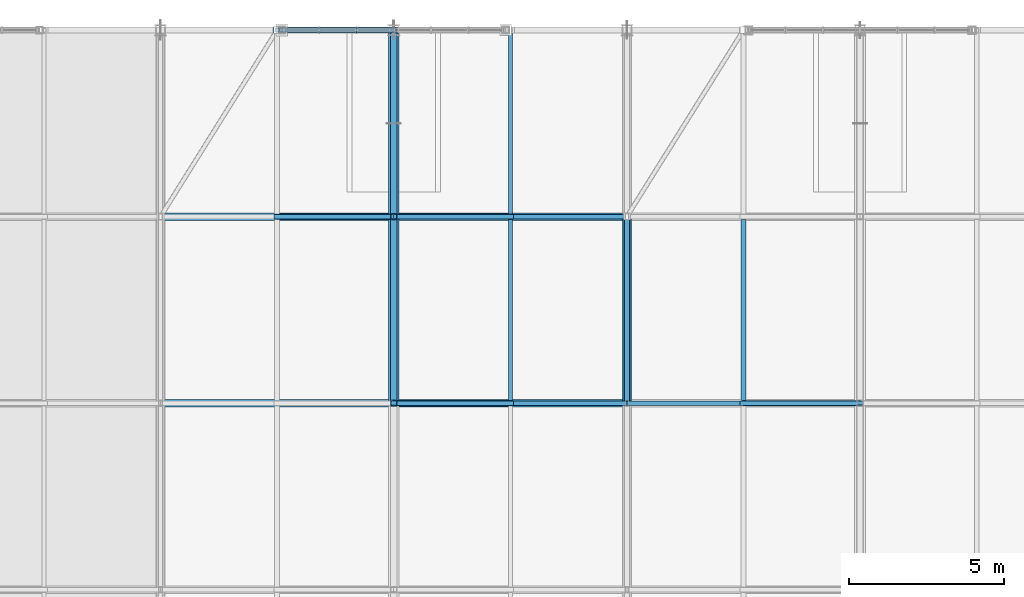
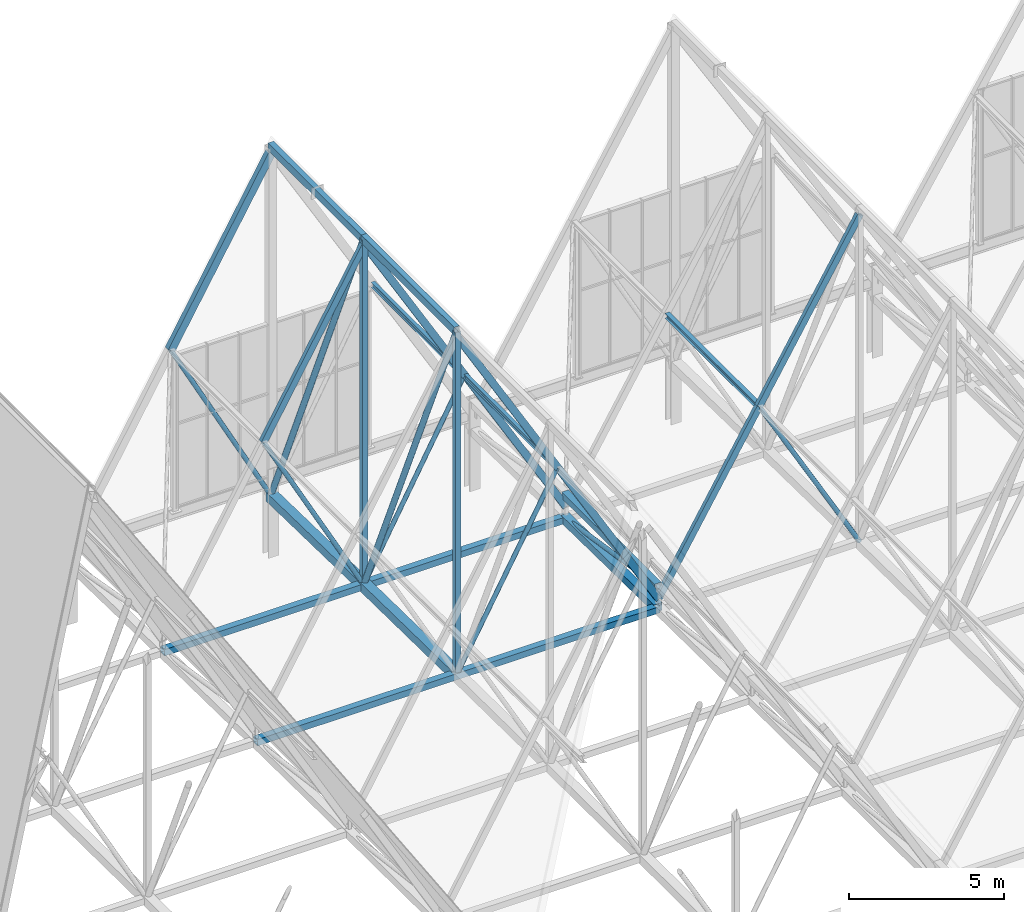
# One storey, part 163 of 324: 26 members, 3 beams.
"""IFC4 building model written with IfcOpenShell, lengths in metres."""

import ifcopenshell
import ifcopenshell.guid

model = None  # the IFC model being written
_history = None  # IfcOwnerHistory: only IFC2X3 demands one
_inside = {}  # id of a spatial element -> (the spatial element, [elements in it])
_under = {}  # id of a project, library or spatial element -> (it, [spatial elements below it])
_declared = {}  # id of a project -> (the project, [libraries it declares])
_typed = {}  # id of a type object -> (the type object, [elements of that type])
_made_of = {}  # id of a material, layer set ... -> (it, [elements and type objects made of it])


def new_model(schema):
    """Start an empty IFC model of exactly this schema.

    Asked for "IFC4X3", IfcOpenShell would pick the latest addendum, in which some entities
    have other attributes; the version numbers below select the first issue.
    IFC2X3 requires an IfcOwnerHistory on every rooted entity: one is made here for all.
    """
    global model, _history
    if schema == "IFC4X3":
        model = ifcopenshell.file(schema_version=(4, 3, 0, 0))
    else:
        model = ifcopenshell.file(schema=schema)
    _inside.clear()
    _under.clear()
    _declared.clear()
    _typed.clear()
    _made_of.clear()
    _history = None
    if model.schema == "IFC2X3":
        org = make("IfcOrganization", Name="unknown")
        user = make(
            "IfcPersonAndOrganization",
            ThePerson=make("IfcPerson", FamilyName="unknown"),
            TheOrganization=org,
        )
        app = make(
            "IfcApplication",
            ApplicationDeveloper=org,
            Version="unknown",
            ApplicationFullName="unknown",
            ApplicationIdentifier="unknown",
        )
        _history = make(
            "IfcOwnerHistory",
            OwningUser=user,
            OwningApplication=app,
            ChangeAction="ADDED",
            CreationDate=0,
        )
    return model


def make(cls, **values):
    """One entity of the class cls with the attributes given. An attribute that is None is left unset."""
    return model.create_entity(
        cls, **{name: value for name, value in values.items() if value is not None}
    )


def rooted(cls, **values):
    """An entity with a GlobalId (a new one), such as an element, a storey or a relation."""
    return make(cls, GlobalId=ifcopenshell.guid.new(), OwnerHistory=_history, **values)


def si_unit(unit_type, name, prefix=None):
    """IfcSIUnit, for example si_unit("LENGTHUNIT", "METRE", prefix="MILLI")."""
    return make("IfcSIUnit", UnitType=unit_type, Prefix=prefix, Name=name)


def assignment(units):
    """IfcUnitAssignment: the units of a project."""
    return None if units is None else make("IfcUnitAssignment", Units=units)


def point(xyz):
    """IfcCartesianPoint."""
    return None if xyz is None else make("IfcCartesianPoint", Coordinates=xyz)


def direction(xyz):
    """IfcDirection."""
    return None if xyz is None else make("IfcDirection", DirectionRatios=xyz)


def frame(location, z_axis=None, x_axis=None):
    """IfcAxis2Placement3D, a coordinate frame: its origin and axes. An axis left out is left unset."""
    return make(
        "IfcAxis2Placement3D",
        Location=point(location),
        Axis=direction(z_axis),
        RefDirection=direction(x_axis),
    )


def frame_2d(location, x_axis=None):
    """IfcAxis2Placement2D, a coordinate frame in the plane: its origin and x axis."""
    return make(
        "IfcAxis2Placement2D", Location=point(location), RefDirection=direction(x_axis)
    )


def origin():
    """The frame at (0, 0, 0) with its axes left unset."""
    return frame((0.0, 0.0, 0.0))


def origin_2d():
    """The frame at (0, 0) in the plane with its x axis left unset."""
    return frame_2d((0.0, 0.0))


def place(relative_to, where):
    """IfcLocalPlacement: puts the frame where relative to a parent placement (None: the world)."""
    return make(
        "IfcLocalPlacement", PlacementRelTo=relative_to, RelativePlacement=where
    )


def context(
    kind, dimensions, precision=None, world=None, true_north=None, identifier=None
):
    """IfcGeometricRepresentationContext, for example the 3D "Model" context."""
    return make(
        "IfcGeometricRepresentationContext",
        ContextIdentifier=identifier,
        ContextType=kind,
        CoordinateSpaceDimension=dimensions,
        Precision=precision,
        WorldCoordinateSystem=world,
        TrueNorth=true_north,
    )


def subcontext(parent, identifier, kind, view, scale=None):
    """IfcGeometricRepresentationSubContext, for example "Body" below "Model"."""
    return make(
        "IfcGeometricRepresentationSubContext",
        ContextIdentifier=identifier,
        ContextType=kind,
        ParentContext=parent,
        TargetScale=scale,
        TargetView=view,
    )


def project(units=None, contexts=None):
    """IfcProject with its units and contexts."""
    return rooted(
        "IfcProject",
        Name="project",
        RepresentationContexts=contexts,
        UnitsInContext=assignment(units),
    )


def spatial(cls, under=None, at=None, **own):
    """A site, building, storey or space (cls), placed at a placement, below another one or the project."""
    s = rooted(cls, ObjectPlacement=at, **own)
    if under is not None:
        _under.setdefault(under.id(), (under, []))[1].append(s)
    return s


def profile(cls, at=None, kind="AREA", **sizes):
    """A parametric profile (cls). Its sizes go by their IFC names, for example OverallWidth=200.0."""
    return make(cls, ProfileType=kind, Position=at, **sizes)


def hollow_rectangle(**sizes):
    """IfcRectangleHollowProfileDef."""
    return profile("IfcRectangleHollowProfileDef", **sizes)


def hollow_circle(**sizes):
    """IfcCircleHollowProfileDef."""
    return profile("IfcCircleHollowProfileDef", **sizes)


def i_section(**sizes):
    """IfcIShapeProfileDef."""
    return profile("IfcIShapeProfileDef", **sizes)


def extrude(swept, where, along, depth):
    """IfcExtrudedAreaSolid: the profile swept, set in the frame where, extruded along a direction by depth."""
    return make(
        "IfcExtrudedAreaSolid",
        SweptArea=swept,
        Position=where,
        ExtrudedDirection=direction(along),
        Depth=depth,
    )


def shape(context_of_items, identifier, shape_type, items):
    """IfcShapeRepresentation: the items that make up one representation, for example the "Body"."""
    return make(
        "IfcShapeRepresentation",
        ContextOfItems=context_of_items,
        RepresentationIdentifier=identifier,
        RepresentationType=shape_type,
        Items=items,
    )


def material(Name=None, Category=None):
    """IfcMaterial."""
    return make("IfcMaterial", Name=Name, Category=Category)


def material_profile(
    of_material, cross_section, Name=None, Category=None, Priority=None
):
    """IfcMaterialProfile: a cross section and its material."""
    return make(
        "IfcMaterialProfile",
        Name=Name,
        Material=of_material,
        Profile=cross_section,
        Priority=Priority,
        Category=Category,
    )


def profile_set(profiles, Name=None, composite=None):
    """IfcMaterialProfileSet."""
    return make(
        "IfcMaterialProfileSet",
        Name=Name,
        MaterialProfiles=profiles,
        CompositeProfile=composite,
    )


def made_of(thing, what):
    """Note that an element or type object is made of a material, layer set ...; save() writes the relation."""
    if what is not None:
        _made_of.setdefault(what.id(), (what, []))[1].append(thing)
    return thing


def type_object(cls, material=None, **own):
    """A type object (cls), such as IfcWallType, which elements share."""
    return made_of(rooted(cls, **own), material)


def element(
    cls,
    number,
    at=None,
    inside=None,
    cuts=None,
    type_object=None,
    material=None,
    context=None,
    identifier="Body",
    shape_type=None,
    held_by="IfcProductDefinitionShape",
    body=None,
    shapes=None,
    **own,
):
    """One element of the class cls, such as IfcWall. Its Tag is "e" and its number.

    at: its placement. inside: the storey or other place that contains it. cuts: it is an
    opening in that element (IfcRelVoidsElement). A single representation is given by context,
    identifier, shape_type and body (its items); several are given by shapes. held_by: the class
    of the entity that holds the representations. save() writes the other relations.
    """
    e = rooted(cls, Tag="e%d" % number, ObjectPlacement=at, **own)
    if body is not None:
        shapes = [shape(context, identifier, shape_type, body)]
    if shapes is not None:
        e.Representation = make(held_by, Representations=shapes)
    if inside is not None:
        _inside.setdefault(inside.id(), (inside, []))[1].append(e)
    if cuts is not None:
        rooted(
            "IfcRelVoidsElement", RelatingBuildingElement=cuts, RelatedOpeningElement=e
        )
    if type_object is not None:
        _typed.setdefault(type_object.id(), (type_object, []))[1].append(e)
    return made_of(e, material)


def aggregate(whole, parts):
    """IfcRelAggregates: a whole, such as a stair, and the parts it consists of."""
    return rooted("IfcRelAggregates", RelatingObject=whole, RelatedObjects=parts)


def save(model, path):
    """Write the relations noted so far, then the file.

    IfcRelAggregates (storeys below a building ...), IfcRelContainedInSpatialStructure (elements
    in a storey), IfcRelDefinesByType, IfcRelAssociatesMaterial and IfcRelDeclares: one each for
    every whole, place, type object, material and project.
    """
    for whole, parts in _under.values():
        aggregate(whole, parts)
    for where, things in _inside.values():
        rooted(
            "IfcRelContainedInSpatialStructure",
            RelatedElements=things,
            RelatingStructure=where,
        )
    for kind, things in _typed.values():
        rooted("IfcRelDefinesByType", RelatedObjects=things, RelatingType=kind)
    for what, things in _made_of.values():
        rooted("IfcRelAssociatesMaterial", RelatedObjects=things, RelatingMaterial=what)
    for by, libraries in _declared.values():
        rooted("IfcRelDeclares", RelatingContext=by, RelatedDefinitions=libraries)
    model.write(path)


model = new_model("IFC4")

# Units and contexts
model_context = context("Model", 3, precision=1e-05, world=origin(), true_north=direction((0.0, 1.0)))
body_context = subcontext(model_context, "Body", "Model", "MODEL_VIEW")
ifc_project = project(units=[si_unit("LENGTHUNIT", "METRE"), si_unit("AREAUNIT", "SQUARE_METRE"), si_unit("VOLUMEUNIT", "CUBIC_METRE"), si_unit("PLANEANGLEUNIT", "RADIAN"), si_unit("MASSUNIT", "GRAM", prefix="KILO")], contexts=[model_context])

# Site, building, storey
site_placement = place(None, origin())
site = spatial("IfcSite", under=ifc_project, at=site_placement, CompositionType="ELEMENT")
building_placement = place(site_placement, origin())
building = spatial("IfcBuilding", under=site, at=building_placement, Name="Solvenia Promenade Tram Depot", CompositionType="ELEMENT")
storey_placement = place(building_placement, frame((0.0, 0.0, 4.5)))
storey = spatial("IfcBuildingStorey", under=building, at=storey_placement, Name="L01", CompositionType="ELEMENT", Elevation=4.5)

# Members
ifc_material_1 = material(Name="Structural steel ASTM A500 Gr. C", Category="steel")
ifc_material_profile_1 = material_profile(ifc_material_1, hollow_circle(Radius=0.109619140625, WallThickness=0.008056640625, at=origin_2d()), Name="CHS219.1x8", Category="steel")
ifc_profile_set_1 = profile_set([ifc_material_profile_1], Name="Structural steel ASTM A500 Gr. C")
member_type_1 = type_object("IfcMemberType", Name="Brace-CHS219x8", PredefinedType="BRACE", material=ifc_profile_set_1)
member_1_placement = place(storey_placement, frame((97.5, 120.0, 2.446044921875), z_axis=(0.0, -0.402603008516, 0.915374686964), x_axis=(1.0, 0.0, 0.0)))
element("IfcMember", 1, at=member_1_placement, inside=storey, type_object=member_type_1, Name="Arched Truss T14 Web Diagonal S09", PredefinedType="BRACE", context=body_context, shape_type="SweptSolid", body=[
    extrude(hollow_circle(Radius=0.109619140625, WallThickness=0.008056640625, at=origin_2d()), origin(), (0.0, 0.0, 1.0), 14.903076171875),
])
member_2_placement = place(storey_placement, frame((97.5, 126.0, 2.320068359375), z_axis=(0.0, -0.399509410742, 0.916729093423), x_axis=(1.0, 0.0, 0.0)))
element("IfcMember", 2, at=member_2_placement, inside=storey, type_object=member_type_1, Name="Arched Truss T14 Web Diagonal S10", PredefinedType="BRACE", context=body_context, shape_type="SweptSolid", body=[
    extrude(hollow_circle(Radius=0.109619140625, WallThickness=0.008056640625, at=origin_2d()), origin(), (0.0, 0.0, 1.0), 15.018310546875),
])
ifc_material_profile_2 = material_profile(ifc_material_1, hollow_rectangle(XDim=0.14990234375, YDim=0.25, WallThickness=0.010009765625, at=origin_2d()), Name="HSS250x150x10", Category="steel")
ifc_profile_set_2 = profile_set([ifc_material_profile_2], Name="Structural steel ASTM A500 Gr. C")
member_type_2 = type_object("IfcMemberType", Name="Chord-HSS250x150x10", PredefinedType="CHORD", material=ifc_profile_set_2)
for number, where, z_axis, x_axis, name in (
    (3, (97.5, 114.0, 15.859130859375), (0.501516268578, 0.0, -0.865148214095), (0.0, 1.0, 0.0), "Zigzag Gable 07 East Upper Rafter"),
    (4, (101.25, 114.0, 9.39013671875), (0.501516268578, 0.0, -0.865148214095), (0.0, 1.0, 0.0), "Zigzag Gable 07 East Lower Rafter"),
    (5, (93.75, 120.0, 9.39013671875), (0.501516268578, 0.0, 0.865148214095), (0.0, 1.0, 0.0), "Zigzag Gable 07 West Upper Rafter"),
    (6, (97.5, 120.0, 15.859130859375), (0.501516268578, 0.0, -0.865148214095), (0.0, 1.0, 0.0), "Zigzag Gable 07 East Upper Rafter"),
    (7, (101.25, 120.0, 9.39013671875), (0.501516268578, 0.0, -0.865148214095), (0.0, 1.0, 0.0), "Zigzag Gable 07 East Lower Rafter"),
):
    element("IfcMember", number, at=place(storey_placement, frame(where, z_axis=z_axis, x_axis=x_axis)), inside=storey, type_object=member_type_2, Name=name, PredefinedType="CHORD", context=body_context, shape_type="SweptSolid", body=[
        extrude(hollow_rectangle(XDim=0.14990234375, YDim=0.25, WallThickness=0.010009765625, at=origin_2d()), origin(), (0.0, 0.0, 1.0), 7.477294921875),
    ])
for number, where, z_axis, x_axis, name in (
    (8, (105.0, 114.0, 2.93017578125), (0.514584433357, 0.0, 0.857439712718), (0.0, 1.0, 0.0), "Zigzag Gable 08 West Lower Rafter"),
    (9, (108.75, 114.0, 9.1787109375), (0.514584433357, 0.0, 0.857439712718), (0.0, 1.0, 0.0), "Zigzag Gable 08 West Upper Rafter"),
):
    element("IfcMember", number, at=place(storey_placement, frame(where, z_axis=z_axis, x_axis=x_axis)), inside=storey, type_object=member_type_2, Name=name, PredefinedType="CHORD", context=body_context, shape_type="SweptSolid", body=[
        extrude(hollow_rectangle(XDim=0.14990234375, YDim=0.25, WallThickness=0.010009765625, at=origin_2d()), origin(), (0.0, 0.0, 1.0), 7.287353515625),
    ])
ifc_material_profile_3 = material_profile(ifc_material_1, hollow_rectangle(XDim=0.25, YDim=0.25, WallThickness=0.010009765625, at=origin_2d()), Name="HSS250x250x10", Category="steel")
ifc_profile_set_3 = profile_set([ifc_material_profile_3], Name="Structural steel ASTM A500 Gr. C")
member_type_3 = type_object("IfcMemberType", Name="Chord-HSS250x250x10", PredefinedType="CHORD", material=ifc_profile_set_3)
member_3_placement = place(storey_placement, frame((105.0, 114.0, 3.3798828125), z_axis=(0.0, 1.0, 0.0), x_axis=(-1.0, 0.0, 0.0)))
element("IfcMember", 10, at=member_3_placement, inside=storey, type_object=member_type_3, Name="Arched Truss T15 Upper Chord S09", PredefinedType="CHORD", context=body_context, shape_type="SweptSolid", body=[
    extrude(hollow_rectangle(XDim=0.25, YDim=0.25, WallThickness=0.010009765625, at=origin_2d()), origin(), (0.0, 0.0, 1.0), 6.0),
])
for number, where, z_axis, x_axis, name in (
    (11, (90.0, 114.0, 2.5439453125), (1.0, 0.0, 0.0), (0.0, 1.0, 0.0), "Bottom-Chord Catenary Lateral Tie 062"),
    (12, (90.0, 120.0, 2.446044921875), (1.0, 0.0, 0.0), (0.0, 1.0, 0.0), "Bottom-Chord Catenary Lateral Tie 063"),
):
    element("IfcMember", number, at=place(storey_placement, frame(where, z_axis=z_axis, x_axis=x_axis)), inside=storey, type_object=member_type_3, Name=name, PredefinedType="CHORD", context=body_context, shape_type="SweptSolid", body=[
        extrude(hollow_rectangle(XDim=0.25, YDim=0.25, WallThickness=0.010009765625, at=origin_2d()), origin(), (0.0, 0.0, 1.0), 15.0),
    ])
ifc_material_profile_4 = material_profile(ifc_material_1, hollow_rectangle(XDim=0.199951171875, YDim=0.300048828125, WallThickness=0.012451171875, at=origin_2d()), Name="HSS300x200x12.5", Category="steel")
ifc_profile_set_4 = profile_set([ifc_material_profile_4], Name="Structural steel ASTM A500 Gr. C")
member_type_4 = type_object("IfcMemberType", Name="Chord-HSS300x200x12", PredefinedType="CHORD", material=ifc_profile_set_4)
for number, where, z_axis, x_axis, name in (
    (13, (97.5, 114.0, 16.087890625), (0.0, 1.0, 0.0), (-1.0, 0.0, 0.0), "Arched Truss T14 Upper Chord S09"),
    (14, (97.5, 120.0, 16.087890625), (0.0, 1.0, 0.0), (-1.0, 0.0, 0.0), "Arched Truss T14 Upper Chord S10"),
):
    element("IfcMember", number, at=place(storey_placement, frame(where, z_axis=z_axis, x_axis=x_axis)), inside=storey, type_object=member_type_4, Name=name, PredefinedType="CHORD", context=body_context, shape_type="SweptSolid", body=[
        extrude(hollow_rectangle(XDim=0.199951171875, YDim=0.300048828125, WallThickness=0.012451171875, at=origin_2d()), origin(), (0.0, 0.0, 1.0), 6.0),
    ])
member_4_placement = place(storey_placement, frame((93.75, 126.0, 9.39013671875), z_axis=(0.501516268578, 0.0, 0.865148214095), x_axis=(0.0, 1.0, 0.0)))
element("IfcMember", 15, at=member_4_placement, inside=storey, type_object=member_type_4, Name="Zigzag Gable 07 West Upper Rafter", PredefinedType="CHORD", context=body_context, shape_type="SweptSolid", body=[
    extrude(hollow_rectangle(XDim=0.199951171875, YDim=0.300048828125, WallThickness=0.012451171875, at=origin_2d()), origin(), (0.0, 0.0, 1.0), 7.477294921875),
])
ifc_material_profile_5 = material_profile(ifc_material_1, hollow_rectangle(XDim=0.300048828125, YDim=0.300048828125, WallThickness=0.012451171875, at=origin_2d()), Name="HSS300x300x12.5", Category="steel")
ifc_profile_set_5 = profile_set([ifc_material_profile_5], Name="Structural steel ASTM A500 Gr. C")
member_type_5 = type_object("IfcMemberType", Name="Chord-HSS300x300x12", PredefinedType="CHORD", material=ifc_profile_set_5)
member_5_placement = place(storey_placement, frame((105.0, 114.0, 2.5439453125), z_axis=(0.0, 0.999866908707, -0.016314560156), x_axis=(-1.0, 0.0, 0.0)))
element("IfcMember", 16, at=member_5_placement, inside=storey, type_object=member_type_5, Name="Arched Truss T15 Bottom Chord S09", PredefinedType="CHORD", context=body_context, shape_type="SweptSolid", body=[
    extrude(hollow_rectangle(XDim=0.300048828125, YDim=0.300048828125, WallThickness=0.012451171875, at=origin_2d()), origin(), (0.0, 0.0, 1.0), 6.000732421875),
])
ifc_material_profile_6 = material_profile(ifc_material_1, hollow_rectangle(XDim=0.35009765625, YDim=0.35009765625, WallThickness=0.01611328125, at=origin_2d()), Name="HSS350x350x16", Category="steel")
ifc_profile_set_6 = profile_set([ifc_material_profile_6], Name="Structural steel ASTM A500 Gr. C")
member_type_6 = type_object("IfcMemberType", Name="Chord-HSS350x350x16", PredefinedType="CHORD", material=ifc_profile_set_6)
member_6_placement = place(storey_placement, frame((97.5, 114.0, 2.5439453125), z_axis=(0.0, 0.999866908707, -0.016314560156), x_axis=(-1.0, 0.0, 0.0)))
element("IfcMember", 17, at=member_6_placement, inside=storey, type_object=member_type_6, Name="Arched Truss T14 Bottom Chord S09", PredefinedType="CHORD", context=body_context, shape_type="SweptSolid", body=[
    extrude(hollow_rectangle(XDim=0.35009765625, YDim=0.35009765625, WallThickness=0.01611328125, at=origin_2d()), origin(), (0.0, 0.0, 1.0), 6.000732421875),
])
member_7_placement = place(storey_placement, frame((97.5, 120.0, 2.446044921875), z_axis=(0.0, 0.999779654873, -0.020991467363), x_axis=(-1.0, 0.0, 0.0)))
element("IfcMember", 18, at=member_7_placement, inside=storey, type_object=member_type_6, Name="Arched Truss T14 Bottom Chord S10", PredefinedType="CHORD", context=body_context, shape_type="SweptSolid", body=[
    extrude(hollow_rectangle(XDim=0.35009765625, YDim=0.35009765625, WallThickness=0.01611328125, at=origin_2d()), origin(), (0.0, 0.0, 1.0), 6.001220703125),
])
ifc_material_profile_7 = material_profile(ifc_material_1, hollow_rectangle(XDim=0.199951171875, YDim=0.199951171875, WallThickness=0.010009765625, at=origin_2d()), Name="HSS200x200x10", Category="steel")
ifc_profile_set_7 = profile_set([ifc_material_profile_7], Name="Structural steel ASTM A500 Gr. C")
member_type_7 = type_object("IfcMemberType", Name="Post-HSS200x200x10", PredefinedType="POST", material=ifc_profile_set_7)
member_8_placement = place(storey_placement, frame((97.5, 114.0, 2.5439453125), z_axis=(0.0, 0.0, 1.0), x_axis=(1.0, 0.0, 0.0)))
element("IfcMember", 19, at=member_8_placement, inside=storey, type_object=member_type_7, Name="Arched Truss T14 Web Post S08", PredefinedType="POST", context=body_context, shape_type="SweptSolid", body=[
    extrude(hollow_rectangle(XDim=0.199951171875, YDim=0.199951171875, WallThickness=0.010009765625, at=origin_2d()), origin(), (0.0, 0.0, 1.0), 13.5439453125),
])
member_9_placement = place(storey_placement, frame((97.5, 120.0, 2.446044921875), z_axis=(0.0, 0.0, 1.0), x_axis=(1.0, 0.0, 0.0)))
element("IfcMember", 20, at=member_9_placement, inside=storey, type_object=member_type_7, Name="Arched Truss T14 Web Post S09", PredefinedType="POST", context=body_context, shape_type="SweptSolid", body=[
    extrude(hollow_rectangle(XDim=0.199951171875, YDim=0.199951171875, WallThickness=0.010009765625, at=origin_2d()), origin(), (0.0, 0.0, 1.0), 13.641845703125),
])

# Beams
ifc_material_2 = material(Name="Structural steel ASTM A992 Gr. 50", Category="steel")
ifc_material_profile_8 = material_profile(ifc_material_2, i_section(OverallWidth=0.133056640625, OverallDepth=0.20703125, WebThickness=0.005859375, FlangeThickness=0.00830078125, FilletRadius=0.009033203125, at=origin_2d()), Name="W200x27", Category="steel")
ifc_profile_set_8 = profile_set([ifc_material_profile_8], Name="Structural steel ASTM A992 Gr. 50")
beam_type_1 = type_object("IfcBeamType", Name="Purlin-W200x27", PredefinedType="USERDEFINED", material=ifc_profile_set_8)
for number, where, z_axis, x_axis, name in (
    (21, (101.25, 114.0849609375, 9.375732421875), (0.0, 1.0, 0.0), (-1.0, 0.0, 0.0), "Gable Roof Purlin E-0138"),
    (22, (101.25, 120.0849609375, 9.375732421875), (0.0, 1.0, 0.0), (-1.0, 0.0, 0.0), "Gable Roof Purlin E-0140"),
):
    element("IfcBeam", number, at=place(storey_placement, frame(where, z_axis=z_axis, x_axis=x_axis)), inside=storey, type_object=beam_type_1, Name=name, ObjectType="PURLIN", PredefinedType="USERDEFINED", context=body_context, shape_type="SweptSolid", body=[
        extrude(i_section(OverallWidth=0.133056640625, OverallDepth=0.20703125, WebThickness=0.005859375, FlangeThickness=0.00830078125, FilletRadius=0.009033203125, at=origin_2d()), origin(), (0.0, 0.0, 1.0), 5.830078125),
    ])
ifc_material_profile_9 = material_profile(ifc_material_2, i_section(OverallWidth=0.1650390625, OverallDepth=0.200927734375, WebThickness=0.006103515625, FlangeThickness=0.01025390625, FilletRadius=0.010009765625, at=origin_2d()), Name="W200x36", Category="steel")
ifc_profile_set_9 = profile_set([ifc_material_profile_9], Name="Structural steel ASTM A992 Gr. 50")
beam_type_2 = type_object("IfcBeamType", Name="Purlin-W200x36", PredefinedType="USERDEFINED", material=ifc_profile_set_9)
beam_placement = place(storey_placement, frame((108.75, 114.0849609375, 9.169677734375), z_axis=(0.0, 1.0, 0.0), x_axis=(-1.0, 0.0, 0.0)))
element("IfcBeam", 23, at=beam_placement, inside=storey, type_object=beam_type_2, Name="Gable Roof Purlin W-0157", ObjectType="PURLIN", PredefinedType="USERDEFINED", context=body_context, shape_type="SweptSolid", body=[
    extrude(i_section(OverallWidth=0.1650390625, OverallDepth=0.200927734375, WebThickness=0.006103515625, FlangeThickness=0.01025390625, FilletRadius=0.010009765625, at=origin_2d()), origin(), (0.0, 0.0, 1.0), 5.830078125),
])

# Members
ifc_material_profile_10 = material_profile(ifc_material_1, hollow_circle(Radius=0.084228515625, WallThickness=0.008056640625, at=origin_2d()), Name="CHS168.3x8", Category="steel")
ifc_profile_set_10 = profile_set([ifc_material_profile_10], Name="Structural steel ASTM A500 Gr. C")
member_type_8 = type_object("IfcMemberType", Name="WebDiag-CHS168x8", PredefinedType="BRACE", material=ifc_profile_set_10)
member_10_placement = place(storey_placement, frame((105.0, 120.0, 2.446044921875), z_axis=(0.0, -0.9881038455, 0.153788135133), x_axis=(1.0, 0.0, 0.0)))
element("IfcMember", 24, at=member_10_placement, inside=storey, type_object=member_type_8, Name="Arched Truss T15 Web Diagonal S09", PredefinedType="BRACE", context=body_context, shape_type="SweptSolid", body=[
    extrude(hollow_circle(Radius=0.084228515625, WallThickness=0.008056640625, at=origin_2d()), origin(), (0.0, 0.0, 1.0), 6.072265625),
])
member_11_placement = place(storey_placement, frame((97.5, 114.0, 2.5439453125), z_axis=(0.480402843129, 0.0, 0.877047950978), x_axis=(0.0, 1.0, 0.0)))
element("IfcMember", 25, at=member_11_placement, inside=storey, type_object=member_type_8, Name="Zigzag Gable 07 East Knee Strut", PredefinedType="BRACE", context=body_context, shape_type="SweptSolid", body=[
    extrude(hollow_circle(Radius=0.084228515625, WallThickness=0.008056640625, at=origin_2d()), origin(), (0.0, 0.0, 1.0), 7.805908203125),
])
for number, where, z_axis, x_axis, name in (
    (26, (97.5, 120.0, 2.446044921875), (-0.475167596576, 0.0, 0.879895309207), (0.0, -1.0, 0.0), "Zigzag Gable 07 West Knee Strut"),
    (27, (97.5, 120.0, 2.446044921875), (0.475167596576, 0.0, 0.879895309207), (0.0, 1.0, 0.0), "Zigzag Gable 07 East Knee Strut"),
):
    element("IfcMember", number, at=place(storey_placement, frame(where, z_axis=z_axis, x_axis=x_axis)), inside=storey, type_object=member_type_8, Name=name, PredefinedType="BRACE", context=body_context, shape_type="SweptSolid", body=[
        extrude(hollow_circle(Radius=0.084228515625, WallThickness=0.008056640625, at=origin_2d()), origin(), (0.0, 0.0, 1.0), 7.891845703125),
    ])
member_12_placement = place(storey_placement, frame((97.5, 126.0, 2.320068359375), z_axis=(-0.468572976528, 0.0, 0.883424793442), x_axis=(0.0, -1.0, 0.0)))
element("IfcMember", 28, at=member_12_placement, inside=storey, type_object=member_type_8, Name="Zigzag Gable 07 West Knee Strut", PredefinedType="BRACE", context=body_context, shape_type="SweptSolid", body=[
    extrude(hollow_circle(Radius=0.084228515625, WallThickness=0.008056640625, at=origin_2d()), origin(), (0.0, 0.0, 1.0), 8.0029296875),
])
member_13_placement = place(storey_placement, frame((112.5, 114.0, 2.5439453125), z_axis=(-0.492048812039, 0.0, 0.870567611717), x_axis=(0.0, -1.0, 0.0)))
element("IfcMember", 29, at=member_13_placement, inside=storey, type_object=member_type_8, Name="Zigzag Gable 08 West Knee Strut", PredefinedType="BRACE", context=body_context, shape_type="SweptSolid", body=[
    extrude(hollow_circle(Radius=0.084228515625, WallThickness=0.008056640625, at=origin_2d()), origin(), (0.0, 0.0, 1.0), 7.62109375),
])

save(model, "model.ifc")
